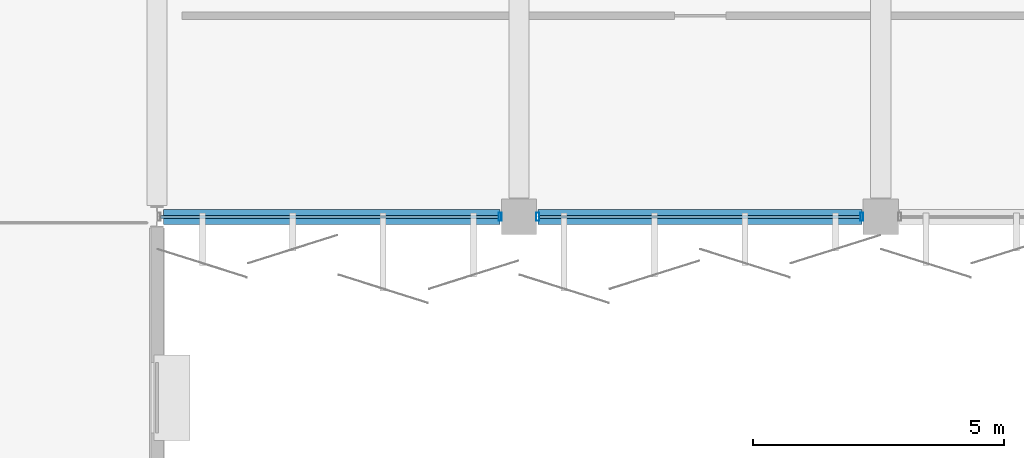
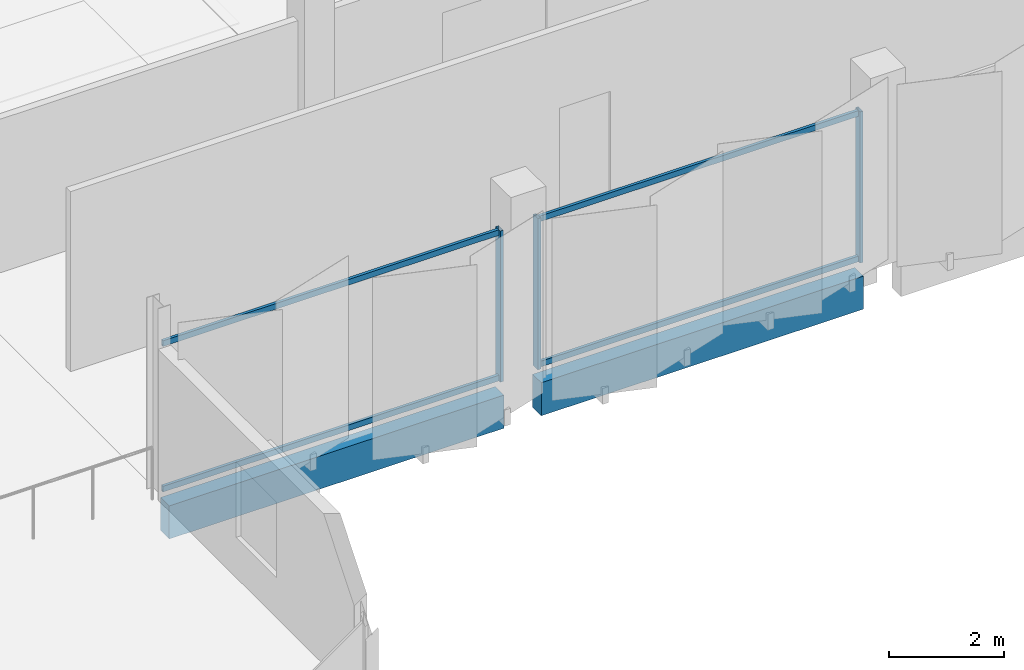
# One storey, part 43 of 107: 7 members, 2 beams, 2 elements without a shape of their own.
"""IFC4 building model written with IfcOpenShell, lengths in metres."""

from ifc_helpers import new_model, si_unit, direction, frame, origin, origin_2d, place, context, subcontext, project, spatial, rectangle, hollow_rectangle, extrude, material, layer, layer_set, material_profile, profile_set, type_object, element, aggregate, save


model = new_model("IFC4")

# Units and contexts
model_context = context("Model", 3, precision=1e-05, world=origin(), true_north=direction((0.0, 1.0)))
body_context = subcontext(model_context, "Body", "Model", "MODEL_VIEW")
ifc_project = project(units=[si_unit("LENGTHUNIT", "METRE"), si_unit("AREAUNIT", "SQUARE_METRE"), si_unit("VOLUMEUNIT", "CUBIC_METRE"), si_unit("PLANEANGLEUNIT", "RADIAN"), si_unit("MASSUNIT", "GRAM", prefix="KILO")], contexts=[model_context])

# Site, building, storey
site_placement = place(None, origin())
site = spatial("IfcSite", under=ifc_project, at=site_placement, CompositionType="ELEMENT")
building_placement = place(site_placement, origin())
building = spatial("IfcBuilding", under=site, at=building_placement, Name="Kangsadwip Square Police Headquarters", CompositionType="ELEMENT")
storey_placement = place(building_placement, frame((0.0, 0.0, 5.39990234375)))
storey = spatial("IfcBuildingStorey", under=building, at=storey_placement, Name="L01", CompositionType="ELEMENT", Elevation=5.39990234375)

# Curtain wall, member
ifc_material_1 = material(Name="Thermally broken anodised aluminium AW-6063-T6", Category="aluminium")
ifc_layer_1 = layer(ifc_material_1, 0.159912109375)
ifc_layer_set_1 = layer_set([ifc_layer_1], Name="Thermally broken anodised aluminium AW-6063-T6")
curtain_wall_type_1 = type_object("IfcCurtainWallType", Name="CourtScreen6845x3200", PredefinedType="USERDEFINED", material=ifc_layer_set_1)
curtain_wall_1_placement = place(storey_placement, origin())
curtain_wall_1 = element("IfcCurtainWall", 1, at=curtain_wall_1_placement, inside=storey, type_object=curtain_wall_type_1, Name="Curtain Wall CW-L01-0936-0936", ObjectType="GLAZED_SCREEN", PredefinedType="USERDEFINED")
ifc_material_2 = material(Name="Thermally broken anodised aluminium AW-6063-T6", Category="aluminium")
ifc_material_profile_1 = material_profile(ifc_material_2, hollow_rectangle(XDim=0.06005859375, YDim=0.159912109375, WallThickness=0.00390625, at=origin_2d()), Name="CWM 160X60X4")
ifc_profile_set_1 = profile_set([ifc_material_profile_1], Name="Thermally broken anodised aluminium AW-6063-T6")
member_type_1 = type_object("IfcMemberType", Name="CwMullion135x60", PredefinedType="MULLION", material=ifc_profile_set_1)
member_1_placement = place(storey_placement, frame((100.425048828125, 93.60009765625, 0.0), z_axis=(0.0, 0.0, 1.0), x_axis=(1.0, 0.0, 0.0)))
member_1 = element("IfcMember", 2, at=member_1_placement, type_object=member_type_1, Name="CW-18 mullion 2", PredefinedType="MULLION", context=body_context, shape_type="SweptSolid", body=[
    extrude(hollow_rectangle(XDim=0.06005859375, YDim=0.159912109375, WallThickness=0.00390625, at=origin_2d()), origin(), (0.0, 0.0, 1.0), 3.2001953125),
])

# Curtain wall, members
ifc_material_3 = material(Name="Thermally broken anodised aluminium AW-6063-T6", Category="aluminium")
ifc_layer_2 = layer(ifc_material_3, 0.159912109375)
ifc_layer_set_2 = layer_set([ifc_layer_2], Name="Thermally broken anodised aluminium AW-6063-T6")
curtain_wall_type_2 = type_object("IfcCurtainWallType", Name="CourtScreen6510x3200", PredefinedType="USERDEFINED", material=ifc_layer_set_2)
curtain_wall_2_placement = place(storey_placement, origin())
curtain_wall_2 = element("IfcCurtainWall", 3, at=curtain_wall_2_placement, inside=storey, type_object=curtain_wall_type_2, Name="Curtain Wall CW-L01-1011-0936", ObjectType="GLAZED_SCREEN", PredefinedType="USERDEFINED")
member_2_placement = place(storey_placement, frame((101.175048828125, 93.60009765625, 0.0), z_axis=(0.0, 0.0, 1.0), x_axis=(1.0, 0.0, 0.0)))
member_2 = element("IfcMember", 4, at=member_2_placement, type_object=member_type_1, Name="CW-19 mullion 1", PredefinedType="MULLION", context=body_context, shape_type="SweptSolid", body=[
    extrude(hollow_rectangle(XDim=0.06005859375, YDim=0.159912109375, WallThickness=0.00390625, at=origin_2d()), origin(), (0.0, 0.0, 1.0), 3.2001953125),
])
member_3_placement = place(storey_placement, frame((107.625, 93.60009765625, 0.0), z_axis=(0.0, 0.0, 1.0), x_axis=(1.0, 0.0, 0.0)))
member_3 = element("IfcMember", 5, at=member_3_placement, type_object=member_type_1, Name="CW-19 mullion 2", PredefinedType="MULLION", context=body_context, shape_type="SweptSolid", body=[
    extrude(hollow_rectangle(XDim=0.06005859375, YDim=0.159912109375, WallThickness=0.00390625, at=origin_2d()), origin(), (0.0, 0.0, 1.0), 3.2001953125),
])

# Member
ifc_material_4 = material(Name="Thermally broken anodised aluminium AW-6063-T6", Category="aluminium")
ifc_material_profile_2 = material_profile(ifc_material_4, hollow_rectangle(XDim=0.06005859375, YDim=0.1201171875, WallThickness=0.00390625, at=origin_2d()), Name="CWT 120X60X4")
ifc_profile_set_2 = profile_set([ifc_material_profile_2], Name="Thermally broken anodised aluminium AW-6063-T6")
member_type_2 = type_object("IfcMemberType", Name="CwTransom120x55", PredefinedType="USERDEFINED", material=ifc_profile_set_2)
member_4_placement = place(storey_placement, frame((93.669921875, 93.60009765625, 0.06005859375), z_axis=(1.0, 0.0, 0.0), x_axis=(0.0, 1.0, 0.0)))
member_4 = element("IfcMember", 6, at=member_4_placement, type_object=member_type_2, Name="CW-18 transom 1.1", ObjectType="TRANSOM", PredefinedType="USERDEFINED", context=body_context, shape_type="SweptSolid", body=[
    extrude(hollow_rectangle(XDim=0.06005859375, YDim=0.1201171875, WallThickness=0.00390625, at=origin_2d()), origin(), (0.0, 0.0, 1.0), 6.72509765625),
])

member_5_placement = place(storey_placement, frame((93.669921875, 93.60009765625, 3.14013671875), z_axis=(1.0, 0.0, 0.0), x_axis=(0.0, 1.0, 0.0)))
member_5 = element("IfcMember", 7, at=member_5_placement, type_object=member_type_2, Name="CW-18 transom 1.2", ObjectType="TRANSOM", PredefinedType="USERDEFINED", context=body_context, shape_type="SweptSolid", body=[
    extrude(hollow_rectangle(XDim=0.06005859375, YDim=0.1201171875, WallThickness=0.00390625, at=origin_2d()), origin(), (0.0, 0.0, 1.0), 6.72509765625),
])

aggregate(curtain_wall_1, [member_1, member_4, member_5])

member_6_placement = place(storey_placement, frame((101.205078125, 93.60009765625, 0.06005859375), z_axis=(1.0, 0.0, 0.0), x_axis=(0.0, 1.0, 0.0)))
member_6 = element("IfcMember", 8, at=member_6_placement, type_object=member_type_2, Name="CW-19 transom 1.1", ObjectType="TRANSOM", PredefinedType="USERDEFINED", context=body_context, shape_type="SweptSolid", body=[
    extrude(hollow_rectangle(XDim=0.06005859375, YDim=0.1201171875, WallThickness=0.00390625, at=origin_2d()), origin(), (0.0, 0.0, 1.0), 6.389892578125),
])

member_7_placement = place(storey_placement, frame((101.205078125, 93.60009765625, 3.14013671875), z_axis=(1.0, 0.0, 0.0), x_axis=(0.0, 1.0, 0.0)))
member_7 = element("IfcMember", 9, at=member_7_placement, type_object=member_type_2, Name="CW-19 transom 1.2", ObjectType="TRANSOM", PredefinedType="USERDEFINED", context=body_context, shape_type="SweptSolid", body=[
    extrude(hollow_rectangle(XDim=0.06005859375, YDim=0.1201171875, WallThickness=0.00390625, at=origin_2d()), origin(), (0.0, 0.0, 1.0), 6.389892578125),
])

aggregate(curtain_wall_2, [member_2, member_3, member_6, member_7])

# Beams
ifc_material_5 = material(Name="Concrete M40 (40 MPa)", Category="concrete")
ifc_material_profile_3 = material_profile(ifc_material_5, rectangle(XDim=0.300048828125, YDim=0.699951171875, at=origin_2d()), Name="RC SPN 700X300")
ifc_profile_set_3 = profile_set([ifc_material_profile_3], Name="Concrete M40 (40 MPa)")
beam_type = type_object("IfcBeamType", Name="RcSpandrel700x300", PredefinedType="SPANDREL", material=ifc_profile_set_3)
beam_1_placement = place(storey_placement, frame((93.72509765625, 93.60009765625, -0.58984375), z_axis=(1.0, 0.0, 0.0), x_axis=(0.0, 1.0, 0.0)))
element("IfcBeam", 10, at=beam_1_placement, inside=storey, type_object=beam_type, Name="Beam BM-L01-X-13-13", PredefinedType="SPANDREL", context=body_context, shape_type="SweptSolid", body=[
    extrude(rectangle(XDim=0.300048828125, YDim=0.699951171875, at=origin_2d()), origin(), (0.0, 0.0, 1.0), 6.699951171875),
])
beam_2_placement = place(storey_placement, frame((101.175048828125, 93.60009765625, -0.58984375), z_axis=(1.0, 0.0, 0.0), x_axis=(0.0, 1.0, 0.0)))
element("IfcBeam", 11, at=beam_2_placement, inside=storey, type_object=beam_type, Name="Beam BM-L01-X-14-13", PredefinedType="SPANDREL", context=body_context, shape_type="SweptSolid", body=[
    extrude(rectangle(XDim=0.300048828125, YDim=0.699951171875, at=origin_2d()), origin(), (0.0, 0.0, 1.0), 6.449951171875),
])

save(model, "model.ifc")
